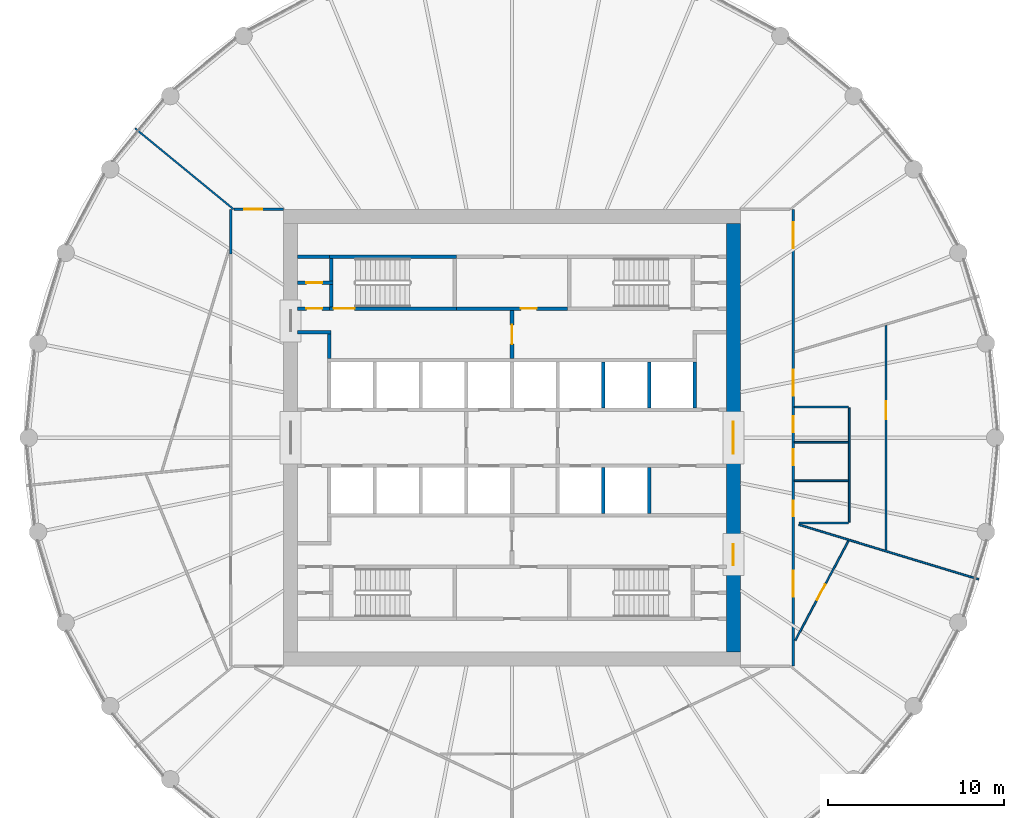
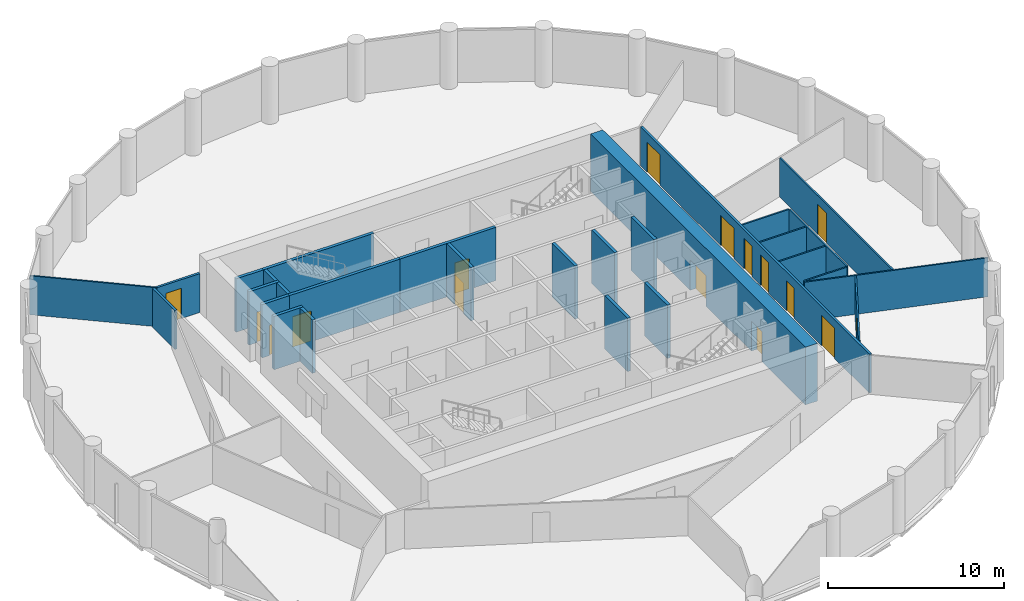
# One storey, part 6 of 8: 29 walls, 16 doors, 16 openings.
"""IFC4 building model written with IfcOpenShell, lengths in metres."""

import ifcopenshell
import ifcopenshell.guid

model = None  # the IFC model being written
_history = None  # IfcOwnerHistory: only IFC2X3 demands one
_inside = {}  # id of a spatial element -> (the spatial element, [elements in it])
_under = {}  # id of a project, library or spatial element -> (it, [spatial elements below it])
_declared = {}  # id of a project -> (the project, [libraries it declares])
_typed = {}  # id of a type object -> (the type object, [elements of that type])
_made_of = {}  # id of a material, layer set ... -> (it, [elements and type objects made of it])


def new_model(schema):
    """Start an empty IFC model of exactly this schema.

    Asked for "IFC4X3", IfcOpenShell would pick the latest addendum, in which some entities
    have other attributes; the version numbers below select the first issue.
    IFC2X3 requires an IfcOwnerHistory on every rooted entity: one is made here for all.
    """
    global model, _history
    if schema == "IFC4X3":
        model = ifcopenshell.file(schema_version=(4, 3, 0, 0))
    else:
        model = ifcopenshell.file(schema=schema)
    _inside.clear()
    _under.clear()
    _declared.clear()
    _typed.clear()
    _made_of.clear()
    _history = None
    if model.schema == "IFC2X3":
        org = make("IfcOrganization", Name="unknown")
        user = make(
            "IfcPersonAndOrganization",
            ThePerson=make("IfcPerson", FamilyName="unknown"),
            TheOrganization=org,
        )
        app = make(
            "IfcApplication",
            ApplicationDeveloper=org,
            Version="unknown",
            ApplicationFullName="unknown",
            ApplicationIdentifier="unknown",
        )
        _history = make(
            "IfcOwnerHistory",
            OwningUser=user,
            OwningApplication=app,
            ChangeAction="ADDED",
            CreationDate=0,
        )
    return model


def make(cls, **values):
    """One entity of the class cls with the attributes given. An attribute that is None is left unset."""
    return model.create_entity(
        cls, **{name: value for name, value in values.items() if value is not None}
    )


def rooted(cls, **values):
    """An entity with a GlobalId (a new one), such as an element, a storey or a relation."""
    return make(cls, GlobalId=ifcopenshell.guid.new(), OwnerHistory=_history, **values)


def si_unit(unit_type, name, prefix=None):
    """IfcSIUnit, for example si_unit("LENGTHUNIT", "METRE", prefix="MILLI")."""
    return make("IfcSIUnit", UnitType=unit_type, Prefix=prefix, Name=name)


def assignment(units):
    """IfcUnitAssignment: the units of a project."""
    return None if units is None else make("IfcUnitAssignment", Units=units)


def point(xyz):
    """IfcCartesianPoint."""
    return None if xyz is None else make("IfcCartesianPoint", Coordinates=xyz)


def direction(xyz):
    """IfcDirection."""
    return None if xyz is None else make("IfcDirection", DirectionRatios=xyz)


def frame(location, z_axis=None, x_axis=None):
    """IfcAxis2Placement3D, a coordinate frame: its origin and axes. An axis left out is left unset."""
    return make(
        "IfcAxis2Placement3D",
        Location=point(location),
        Axis=direction(z_axis),
        RefDirection=direction(x_axis),
    )


def frame_2d(location, x_axis=None):
    """IfcAxis2Placement2D, a coordinate frame in the plane: its origin and x axis."""
    return make(
        "IfcAxis2Placement2D", Location=point(location), RefDirection=direction(x_axis)
    )


def origin():
    """The frame at (0, 0, 0) with its axes left unset."""
    return frame((0.0, 0.0, 0.0))


def place(relative_to, where):
    """IfcLocalPlacement: puts the frame where relative to a parent placement (None: the world)."""
    return make(
        "IfcLocalPlacement", PlacementRelTo=relative_to, RelativePlacement=where
    )


def context(
    kind, dimensions, precision=None, world=None, true_north=None, identifier=None
):
    """IfcGeometricRepresentationContext, for example the 3D "Model" context."""
    return make(
        "IfcGeometricRepresentationContext",
        ContextIdentifier=identifier,
        ContextType=kind,
        CoordinateSpaceDimension=dimensions,
        Precision=precision,
        WorldCoordinateSystem=world,
        TrueNorth=true_north,
    )


def subcontext(parent, identifier, kind, view, scale=None):
    """IfcGeometricRepresentationSubContext, for example "Body" below "Model"."""
    return make(
        "IfcGeometricRepresentationSubContext",
        ContextIdentifier=identifier,
        ContextType=kind,
        ParentContext=parent,
        TargetScale=scale,
        TargetView=view,
    )


def project(units=None, contexts=None):
    """IfcProject with its units and contexts."""
    return rooted(
        "IfcProject",
        Name="project",
        RepresentationContexts=contexts,
        UnitsInContext=assignment(units),
    )


def spatial(cls, under=None, at=None, **own):
    """A site, building, storey or space (cls), placed at a placement, below another one or the project."""
    s = rooted(cls, ObjectPlacement=at, **own)
    if under is not None:
        _under.setdefault(under.id(), (under, []))[1].append(s)
    return s


def polyline(points):
    """IfcPolyline through the points."""
    return make("IfcPolyline", Points=[point(p) for p in points])


def profile(cls, at=None, kind="AREA", **sizes):
    """A parametric profile (cls). Its sizes go by their IFC names, for example OverallWidth=200.0."""
    return make(cls, ProfileType=kind, Position=at, **sizes)


def rectangle(**sizes):
    """IfcRectangleProfileDef."""
    return profile("IfcRectangleProfileDef", **sizes)


def outline(outer, holes=None, kind="AREA"):
    """IfcArbitraryClosedProfileDef: a profile drawn as a closed curve; with holes, ...WithVoids."""
    if holes is None:
        return make("IfcArbitraryClosedProfileDef", ProfileType=kind, OuterCurve=outer)
    return make(
        "IfcArbitraryProfileDefWithVoids",
        ProfileType=kind,
        OuterCurve=outer,
        InnerCurves=holes,
    )


def extrude(swept, where, along, depth):
    """IfcExtrudedAreaSolid: the profile swept, set in the frame where, extruded along a direction by depth."""
    return make(
        "IfcExtrudedAreaSolid",
        SweptArea=swept,
        Position=where,
        ExtrudedDirection=direction(along),
        Depth=depth,
    )


def shape(context_of_items, identifier, shape_type, items):
    """IfcShapeRepresentation: the items that make up one representation, for example the "Body"."""
    return make(
        "IfcShapeRepresentation",
        ContextOfItems=context_of_items,
        RepresentationIdentifier=identifier,
        RepresentationType=shape_type,
        Items=items,
    )


def material(Name=None, Category=None):
    """IfcMaterial."""
    return make("IfcMaterial", Name=Name, Category=Category)


def layer(
    of_material, thickness, ventilated=None, Name=None, Category=None, Priority=None
):
    """IfcMaterialLayer: one layer of a wall or slab, of a material (None: an air gap)."""
    return make(
        "IfcMaterialLayer",
        Material=of_material,
        LayerThickness=thickness,
        IsVentilated=ventilated,
        Name=Name,
        Category=Category,
        Priority=Priority,
    )


def layer_set(layers, Name=None):
    """IfcMaterialLayerSet."""
    return make("IfcMaterialLayerSet", MaterialLayers=layers, LayerSetName=Name)


def made_of(thing, what):
    """Note that an element or type object is made of a material, layer set ...; save() writes the relation."""
    if what is not None:
        _made_of.setdefault(what.id(), (what, []))[1].append(thing)
    return thing


def type_object(cls, material=None, **own):
    """A type object (cls), such as IfcWallType, which elements share."""
    return made_of(rooted(cls, **own), material)


def element(
    cls,
    number,
    at=None,
    inside=None,
    cuts=None,
    type_object=None,
    material=None,
    context=None,
    identifier="Body",
    shape_type=None,
    held_by="IfcProductDefinitionShape",
    body=None,
    shapes=None,
    **own,
):
    """One element of the class cls, such as IfcWall. Its Tag is "e" and its number.

    at: its placement. inside: the storey or other place that contains it. cuts: it is an
    opening in that element (IfcRelVoidsElement). A single representation is given by context,
    identifier, shape_type and body (its items); several are given by shapes. held_by: the class
    of the entity that holds the representations. save() writes the other relations.
    """
    e = rooted(cls, Tag="e%d" % number, ObjectPlacement=at, **own)
    if body is not None:
        shapes = [shape(context, identifier, shape_type, body)]
    if shapes is not None:
        e.Representation = make(held_by, Representations=shapes)
    if inside is not None:
        _inside.setdefault(inside.id(), (inside, []))[1].append(e)
    if cuts is not None:
        rooted(
            "IfcRelVoidsElement", RelatingBuildingElement=cuts, RelatedOpeningElement=e
        )
    if type_object is not None:
        _typed.setdefault(type_object.id(), (type_object, []))[1].append(e)
    return made_of(e, material)


def fill(opening, filler):
    """IfcRelFillsElement: the door or window that sits in an opening."""
    return rooted(
        "IfcRelFillsElement",
        RelatingOpeningElement=opening,
        RelatedBuildingElement=filler,
    )


def aggregate(whole, parts):
    """IfcRelAggregates: a whole, such as a stair, and the parts it consists of."""
    return rooted("IfcRelAggregates", RelatingObject=whole, RelatedObjects=parts)


def save(model, path):
    """Write the relations noted so far, then the file.

    IfcRelAggregates (storeys below a building ...), IfcRelContainedInSpatialStructure (elements
    in a storey), IfcRelDefinesByType, IfcRelAssociatesMaterial and IfcRelDeclares: one each for
    every whole, place, type object, material and project.
    """
    for whole, parts in _under.values():
        aggregate(whole, parts)
    for where, things in _inside.values():
        rooted(
            "IfcRelContainedInSpatialStructure",
            RelatedElements=things,
            RelatingStructure=where,
        )
    for kind, things in _typed.values():
        rooted("IfcRelDefinesByType", RelatedObjects=things, RelatingType=kind)
    for what, things in _made_of.values():
        rooted("IfcRelAssociatesMaterial", RelatedObjects=things, RelatingMaterial=what)
    for by, libraries in _declared.values():
        rooted("IfcRelDeclares", RelatingContext=by, RelatedDefinitions=libraries)
    model.write(path)


model = new_model("IFC4")

# Units and contexts
model_context = context("Model", 3, precision=1e-05, world=origin(), true_north=direction((0.0, 1.0)))
body_context = subcontext(model_context, "Body", "Model", "MODEL_VIEW")
ifc_project = project(units=[si_unit("LENGTHUNIT", "METRE"), si_unit("AREAUNIT", "SQUARE_METRE"), si_unit("VOLUMEUNIT", "CUBIC_METRE"), si_unit("PLANEANGLEUNIT", "RADIAN"), si_unit("MASSUNIT", "GRAM", prefix="KILO")], contexts=[model_context])

# Site, building, storey
site_placement = place(None, origin())
site = spatial("IfcSite", under=ifc_project, at=site_placement, CompositionType="ELEMENT")
building_placement = place(site_placement, origin())
building = spatial("IfcBuilding", under=site, at=building_placement, Name="Corvane Civic Tower", CompositionType="ELEMENT")
storey_placement = place(building_placement, frame((0.0, 0.0, 245.5)))
storey = spatial("IfcBuildingStorey", under=building, at=storey_placement, Name="L58", CompositionType="ELEMENT", Elevation=245.5)

# Wall, openings, doors
ifc_material_1 = material(Name="Concrete C50/60", Category="concrete")
ifc_layer_1 = layer(ifc_material_1, 0.800048828125)
ifc_layer_set_1 = layer_set([ifc_layer_1], Name="Concrete C50/60")
wall_type_1 = type_object("IfcWallType", Name="CORE WALL 800 C50/60", PredefinedType="SHEAR", material=ifc_layer_set_1)
wall_1_placement = place(storey_placement, frame((12.60009765625, -12.199951171875, 0.0), z_axis=(0.0, 0.0, 1.0), x_axis=(0.0, 1.0, 0.0)))
wall_1 = element("IfcWall", 1, at=wall_1_placement, inside=storey, type_object=wall_type_1, Name="W-L58-core-E", PredefinedType="SHEAR", context=body_context, shape_type="SweptSolid", body=[
    extrude(rectangle(XDim=24.39990234375, YDim=0.800048828125, at=frame_2d((12.199951171875, 0.0))), origin(), (0.0, 0.0, 1.0), 4.0),
])
opening_1_placement = place(wall_1_placement, frame((11.300048828125, 0.0, 0.0)))
opening_1 = element("IfcOpeningElement", 2, at=opening_1_placement, cuts=wall_1, Name="Opening L58.C29", PredefinedType="OPENING", context=body_context, shape_type="SweptSolid", body=[
    extrude(rectangle(XDim=1.800048828125, YDim=2.10009765625, at=frame_2d((0.89990234375, 1.050048828125))), frame((0.0, 0.409912109375, 0.0), z_axis=(0.0, -1.0, 0.0), x_axis=(1.0, 0.0, 0.0)), (0.0, 0.0, 1.0), 0.820068359375),
])
opening_2_placement = place(wall_1_placement, frame((4.949951171875, 0.0, 0.0)))
opening_2 = element("IfcOpeningElement", 3, at=opening_2_placement, cuts=wall_1, Name="Opening L58.C31", PredefinedType="OPENING", context=body_context, shape_type="SweptSolid", body=[
    extrude(rectangle(XDim=1.199951171875, YDim=2.10009765625, at=frame_2d((0.60009765625, 1.050048828125))), frame((0.0, 0.409912109375, 0.0), z_axis=(0.0, -1.0, 0.0), x_axis=(1.0, 0.0, 0.0)), (0.0, 0.0, 1.0), 0.820068359375),
])
ifc_material_2 = material(Name="Steel fire door leaf", Category="steel")
door_type_1 = type_object("IfcDoorType", Name="CR-DOOR-CORE-1800", OperationType="DOUBLE_DOOR_SINGLE_SWING", PredefinedType="DOOR", material=ifc_material_2)
door_1_placement = place(opening_1_placement, origin())
door_1 = element("IfcDoor", 4, at=door_1_placement, inside=storey, type_object=door_type_1, Name="L58 door", OperationType="DOUBLE_DOOR_SINGLE_SWING", OverallHeight=2.10009765625, OverallWidth=1.800048828125, PredefinedType="DOOR", context=body_context, shape_type="SweptSolid", body=[
    extrude(rectangle(XDim=1.800048828125, YDim=2.10009765625, at=frame_2d((0.89990234375, 1.050048828125))), frame((0.0, 0.02490234375, 0.0), z_axis=(0.0, -1.0, 0.0), x_axis=(1.0, 0.0, 0.0)), (0.0, 0.0, 1.0), 0.050048828125),
])
fill(opening_1, door_1)
door_2_placement = place(opening_2_placement, origin())
door_2 = element("IfcDoor", 5, at=door_2_placement, inside=storey, type_object=door_type_1, Name="L58 door", OperationType="DOUBLE_DOOR_SINGLE_SWING", OverallHeight=2.10009765625, OverallWidth=1.199951171875, PredefinedType="DOOR", context=body_context, shape_type="SweptSolid", body=[
    extrude(rectangle(XDim=1.199951171875, YDim=2.10009765625, at=frame_2d((0.60009765625, 1.050048828125))), frame((0.0, 0.02490234375, 0.0), z_axis=(0.0, -1.0, 0.0), x_axis=(1.0, 0.0, 0.0)), (0.0, 0.0, 1.0), 0.050048828125),
])
fill(opening_2, door_2)

# Wall, opening, door
ifc_material_3 = material(Name="Concrete C30/37", Category="concrete")
ifc_layer_2 = layer(ifc_material_3, 0.199951171875)
ifc_layer_set_2 = layer_set([ifc_layer_2], Name="Concrete C30/37")
wall_type_2 = type_object("IfcWallType", Name="CR-WALL-200", PredefinedType="PARTITIONING", material=ifc_layer_set_2)
wall_2_placement = place(storey_placement, frame((-12.199951171875, 7.35009765625, 0.0), z_axis=(0.0, 0.0, 1.0), x_axis=(1.0, 0.0, 0.0)))
wall_2 = element("IfcWall", 6, at=wall_2_placement, inside=storey, type_object=wall_type_2, Name="L58 core partition wall", PredefinedType="PARTITIONING", context=body_context, shape_type="SweptSolid", body=[
    extrude(rectangle(XDim=1.800048828125, YDim=0.199951171875, at=frame_2d((0.89990234375, 0.0))), origin(), (0.0, 0.0, 1.0), 3.699951171875),
])
opening_3_placement = place(wall_2_placement, frame((0.5, 0.0, 0.0)))
opening_3 = element("IfcOpeningElement", 7, at=opening_3_placement, cuts=wall_2, Name="Opening L58.C10", PredefinedType="OPENING", context=body_context, shape_type="SweptSolid", body=[
    extrude(rectangle(XDim=0.89990234375, YDim=2.10009765625, at=frame_2d((0.449951171875, 1.050048828125))), frame((0.0, 0.10986328125, 0.0), z_axis=(0.0, -1.0, 0.0), x_axis=(1.0, 0.0, 0.0)), (0.0, 0.0, 1.0), 0.219970703125),
])
ifc_material_4 = material(Name="Steel fire door leaf", Category="steel")
door_type_2 = type_object("IfcDoorType", Name="CR-DOOR-900", OperationType="SINGLE_SWING_LEFT", PredefinedType="DOOR", material=ifc_material_4)
door_3_placement = place(opening_3_placement, origin())
door_3 = element("IfcDoor", 8, at=door_3_placement, inside=storey, type_object=door_type_2, Name="L58 door", OperationType="SINGLE_SWING_LEFT", OverallHeight=2.10009765625, OverallWidth=0.89990234375, PredefinedType="DOOR", context=body_context, shape_type="SweptSolid", body=[
    extrude(rectangle(XDim=0.89990234375, YDim=2.10009765625, at=frame_2d((0.449951171875, 1.050048828125))), frame((0.0, 0.02490234375, 0.0), z_axis=(0.0, -1.0, 0.0), x_axis=(1.0, 0.0, 0.0)), (0.0, 0.0, 1.0), 0.050048828125),
])
fill(opening_3, door_3)

wall_3_placement = place(storey_placement, frame((-3.14990234375, 7.35009765625, 0.0), z_axis=(0.0, 0.0, 1.0), x_axis=(1.0, 0.0, 0.0)))
wall_3 = element("IfcWall", 9, at=wall_3_placement, inside=storey, type_object=wall_type_2, Name="L58 partition wall", PredefinedType="PARTITIONING", context=body_context, shape_type="SweptSolid", body=[
    extrude(rectangle(XDim=6.2998046875, YDim=0.199951171875, at=frame_2d((3.14990234375, 0.0))), origin(), (0.0, 0.0, 1.0), 3.699951171875),
])
opening_4_placement = place(wall_3_placement, frame((3.64990234375, 0.0, 0.0)))
opening_4 = element("IfcOpeningElement", 10, at=opening_4_placement, cuts=wall_3, Name="Opening L58.C06", PredefinedType="OPENING", context=body_context, shape_type="SweptSolid", body=[
    extrude(rectangle(XDim=0.89990234375, YDim=2.10009765625, at=frame_2d((0.449951171875, 1.050048828125))), frame((0.0, 0.10986328125, 0.0), z_axis=(0.0, -1.0, 0.0), x_axis=(1.0, 0.0, 0.0)), (0.0, 0.0, 1.0), 0.219970703125),
])
door_4_placement = place(opening_4_placement, origin())
door_4 = element("IfcDoor", 11, at=door_4_placement, inside=storey, type_object=door_type_2, Name="L58 door", OperationType="SINGLE_SWING_LEFT", OverallHeight=2.10009765625, OverallWidth=0.89990234375, PredefinedType="DOOR", context=body_context, shape_type="SweptSolid", body=[
    extrude(rectangle(XDim=0.89990234375, YDim=2.10009765625, at=frame_2d((0.449951171875, 1.050048828125))), frame((0.0, 0.02490234375, 0.0), z_axis=(0.0, -1.0, 0.0), x_axis=(1.0, 0.0, 0.0)), (0.0, 0.0, 1.0), 0.050048828125),
])
fill(opening_4, door_4)

wall_4_placement = place(storey_placement, frame((-12.199951171875, 8.824951171875, 0.0), z_axis=(0.0, 0.0, 1.0), x_axis=(1.0, 0.0, 0.0)))
wall_4 = element("IfcWall", 12, at=wall_4_placement, inside=storey, type_object=wall_type_2, Name="L58 partition wall", PredefinedType="PARTITIONING", context=body_context, shape_type="SweptSolid", body=[
    extrude(rectangle(XDim=2.0, YDim=0.199951171875, at=frame_2d((1.0, 0.0))), origin(), (0.0, 0.0, 1.0), 3.699951171875),
])
opening_5_placement = place(wall_4_placement, frame((0.5, 0.0, 0.0)))
opening_5 = element("IfcOpeningElement", 13, at=opening_5_placement, cuts=wall_4, Name="Opening L58.C11", PredefinedType="OPENING", context=body_context, shape_type="SweptSolid", body=[
    extrude(rectangle(XDim=0.89990234375, YDim=2.10009765625, at=frame_2d((0.449951171875, 1.050048828125))), frame((0.0, 0.10986328125, 0.0), z_axis=(0.0, -1.0, 0.0), x_axis=(1.0, 0.0, 0.0)), (0.0, 0.0, 1.0), 0.219970703125),
])
door_5_placement = place(opening_5_placement, origin())
door_5 = element("IfcDoor", 14, at=door_5_placement, inside=storey, type_object=door_type_2, Name="L58 door", OperationType="SINGLE_SWING_LEFT", OverallHeight=2.10009765625, OverallWidth=0.89990234375, PredefinedType="DOOR", context=body_context, shape_type="SweptSolid", body=[
    extrude(rectangle(XDim=0.89990234375, YDim=2.10009765625, at=frame_2d((0.449951171875, 1.050048828125))), frame((0.0, 0.02490234375, 0.0), z_axis=(0.0, -1.0, 0.0), x_axis=(1.0, 0.0, 0.0)), (0.0, 0.0, 1.0), 0.050048828125),
])
fill(opening_5, door_5)

wall_5_placement = place(storey_placement, frame((0.0, 4.5, 0.0), z_axis=(0.0, 0.0, 1.0), x_axis=(0.0, 1.0, 0.0)))
wall_5 = element("IfcWall", 15, at=wall_5_placement, inside=storey, type_object=wall_type_2, Name="L58 core partition wall", PredefinedType="PARTITIONING", context=body_context, shape_type="SweptSolid", body=[
    extrude(rectangle(XDim=2.75, YDim=0.199951171875, at=frame_2d((1.375, 0.0))), origin(), (0.0, 0.0, 1.0), 3.699951171875),
])
opening_6_placement = place(wall_5_placement, frame((0.824951171875, 0.0, 0.0)))
opening_6 = element("IfcOpeningElement", 16, at=opening_6_placement, cuts=wall_5, Name="Opening L58.C26", PredefinedType="OPENING", context=body_context, shape_type="SweptSolid", body=[
    extrude(rectangle(XDim=1.10009765625, YDim=2.10009765625, at=frame_2d((0.550048828125, 1.050048828125))), frame((0.0, 0.10986328125, 0.0), z_axis=(0.0, -1.0, 0.0), x_axis=(1.0, 0.0, 0.0)), (0.0, 0.0, 1.0), 0.219970703125),
])
ifc_material_5 = material(Name="Steel fire door leaf", Category="steel")
door_type_3 = type_object("IfcDoorType", Name="CR-DOOR-FFL-1100", OperationType="SINGLE_SWING_LEFT", PredefinedType="DOOR", material=ifc_material_5)
door_6_placement = place(opening_6_placement, origin())
door_6 = element("IfcDoor", 17, at=door_6_placement, inside=storey, type_object=door_type_3, Name="L58 lobby door", OperationType="SINGLE_SWING_LEFT", OverallHeight=2.10009765625, OverallWidth=1.10009765625, PredefinedType="DOOR", context=body_context, shape_type="SweptSolid", body=[
    extrude(rectangle(XDim=1.10009765625, YDim=2.10009765625, at=frame_2d((0.550048828125, 1.050048828125))), frame((0.0, 0.02490234375, 0.0), z_axis=(0.0, -1.0, 0.0), x_axis=(1.0, 0.0, 0.0)), (0.0, 0.0, 1.0), 0.050048828125),
])
fill(opening_6, door_6)

# Walls
wall_6_placement = place(storey_placement, origin())
element("IfcWall", 18, at=wall_6_placement, inside=storey, type_object=wall_type_2, Name="L58 core partition wall", PredefinedType="PARTITIONING", context=body_context, shape_type="SweptSolid", body=[
    extrude(outline(polyline([(5.300048828125, -1.699951171875), (5.300048828125, -4.2998046875), (5.10009765625, -4.2998046875), (5.10009765625, -1.699951171875), (5.300048828125, -1.699951171875)])), origin(), (0.0, 0.0, 1.0), 3.699951171875),
])
wall_7_placement = place(storey_placement, origin())
element("IfcWall", 19, at=wall_7_placement, inside=storey, type_object=wall_type_2, Name="L58 core partition wall", PredefinedType="PARTITIONING", context=body_context, shape_type="SweptSolid", body=[
    extrude(outline(polyline([(7.89990234375, -1.699951171875), (7.89990234375, -4.2998046875), (7.699951171875, -4.2998046875), (7.699951171875, -1.699951171875), (7.89990234375, -1.699951171875)])), origin(), (0.0, 0.0, 1.0), 3.699951171875),
])
wall_8_placement = place(storey_placement, origin())
element("IfcWall", 20, at=wall_8_placement, inside=storey, type_object=wall_type_2, Name="L58 core partition wall", PredefinedType="PARTITIONING", context=body_context, shape_type="SweptSolid", body=[
    extrude(outline(polyline([(5.300048828125, 1.699951171875), (5.10009765625, 1.699951171875), (5.10009765625, 4.2998046875), (5.300048828125, 4.2998046875), (5.300048828125, 1.699951171875)])), origin(), (0.0, 0.0, 1.0), 3.699951171875),
])
wall_9_placement = place(storey_placement, origin())
element("IfcWall", 21, at=wall_9_placement, inside=storey, type_object=wall_type_2, Name="L58 core partition wall", PredefinedType="PARTITIONING", context=body_context, shape_type="SweptSolid", body=[
    extrude(outline(polyline([(7.89990234375, 1.699951171875), (7.699951171875, 1.699951171875), (7.699951171875, 4.2998046875), (7.89990234375, 4.2998046875), (7.89990234375, 1.699951171875)])), origin(), (0.0, 0.0, 1.0), 3.699951171875),
])
wall_10_placement = place(storey_placement, origin())
element("IfcWall", 22, at=wall_10_placement, inside=storey, type_object=wall_type_2, Name="L58 core partition wall", PredefinedType="PARTITIONING", context=body_context, shape_type="SweptSolid", body=[
    extrude(outline(polyline([(10.5, 1.699951171875), (10.300048828125, 1.699951171875), (10.300048828125, 4.2998046875), (10.5, 4.2998046875), (10.5, 1.699951171875)])), origin(), (0.0, 0.0, 1.0), 3.699951171875),
])
wall_11_placement = place(storey_placement, origin())
element("IfcWall", 23, at=wall_11_placement, inside=storey, type_object=wall_type_2, Name="L58 core partition wall", PredefinedType="PARTITIONING", context=body_context, shape_type="SweptSolid", body=[
    extrude(outline(polyline([(-10.300048828125, 5.89990234375), (-12.199951171875, 5.89990234375), (-12.199951171875, 6.10009765625), (-10.300048828125, 6.10009765625), (-10.300048828125, 5.89990234375)])), origin(), (0.0, 0.0, 1.0), 3.699951171875),
])
wall_12_placement = place(storey_placement, origin())
element("IfcWall", 24, at=wall_12_placement, inside=storey, type_object=wall_type_2, Name="L58 core partition wall", PredefinedType="PARTITIONING", context=body_context, shape_type="SweptSolid", body=[
    extrude(outline(polyline([(-10.300048828125, 4.5), (-10.5, 4.5), (-10.5, 5.89990234375), (-10.300048828125, 5.89990234375), (-10.300048828125, 4.5)])), origin(), (0.0, 0.0, 1.0), 3.699951171875),
])
wall_13_placement = place(storey_placement, origin())
element("IfcWall", 25, at=wall_13_placement, inside=storey, type_object=wall_type_2, Name="L58 core partition wall", PredefinedType="PARTITIONING", context=body_context, shape_type="SweptSolid", body=[
    extrude(outline(polyline([(-12.199951171875, 10.199951171875), (-12.199951171875, 10.39990234375), (-10.39990234375, 10.39990234375), (-10.39990234375, 10.199951171875), (-12.199951171875, 10.199951171875)])), origin(), (0.0, 0.0, 1.0), 3.699951171875),
])

# Wall, opening, door
ifc_material_6 = material(Name="Plasterboard")
ifc_layer_3 = layer(ifc_material_6, 0.10009765625)
ifc_layer_set_3 = layer_set([ifc_layer_3], Name="Plasterboard")
wall_type_3 = type_object("IfcWallType", Name="Partition 100 plasterboard on studs", PredefinedType="PARTITIONING", material=ifc_layer_set_3)
wall_14_placement = place(storey_placement, frame((16.119140625, -11.540283203125, 0.0), z_axis=(0.0, 0.0, 1.0), x_axis=(0.471415980273, 0.881910978242, 0.0)))
wall_14 = element("IfcWall", 26, at=wall_14_placement, inside=storey, type_object=wall_type_3, Name="Partition L58.012", PredefinedType="PARTITIONING", context=body_context, shape_type="SweptSolid", body=[
    extrude(rectangle(XDim=6.427978515625, YDim=0.10009765625, at=frame_2d((3.2138671875, 0.0))), origin(), (0.0, 0.0, 1.0), 2.699951171875),
])
opening_7_placement = place(wall_14_placement, frame((2.6181640625, 0.0, 0.0)))
opening_7 = element("IfcOpeningElement", 27, at=opening_7_placement, cuts=wall_14, Name="Opening L58.012", PredefinedType="OPENING", context=body_context, shape_type="SweptSolid", body=[
    extrude(rectangle(XDim=1.0, YDim=2.10009765625, at=frame_2d((0.5, 1.050048828125))), frame((0.0, 0.06005859375, 0.0), z_axis=(0.0, -1.0, 0.0), x_axis=(1.0, 0.0, 0.0)), (0.0, 0.0, 1.0), 0.1201171875),
])
ifc_material_7 = material(Name="Timber", Category="wood")
door_type_4 = type_object("IfcDoorType", Name="Single door 1000", OperationType="NOTDEFINED", PredefinedType="DOOR", material=ifc_material_7)
door_7_placement = place(opening_7_placement, frame((1.0, 0.0, 0.0), z_axis=(0.0, 0.0, 1.0), x_axis=(-1.0, 0.0, 0.0)))
door_7 = element("IfcDoor", 28, at=door_7_placement, inside=storey, type_object=door_type_4, Name="Door L58.012", OperationType="SINGLE_SWING_RIGHT", OverallHeight=2.10009765625, OverallWidth=1.0, PredefinedType="DOOR", context=body_context, shape_type="SweptSolid", body=[
    extrude(rectangle(XDim=1.0, YDim=2.10009765625, at=frame_2d((0.5, 1.050048828125))), frame((0.0, 0.02490234375, 0.0), z_axis=(0.0, -1.0, 0.0), x_axis=(1.0, 0.0, 0.0)), (0.0, 0.0, 1.0), 0.050048828125),
])
fill(opening_7, door_7)

# Wall
wall_15_placement = place(storey_placement, frame((16.322509765625, -4.951416015625, 0.0), z_axis=(0.0, 0.0, 1.0), x_axis=(0.95694333486, -0.290274790271, 0.0)))
element("IfcWall", 29, at=wall_15_placement, inside=storey, type_object=wall_type_3, Name="Partition L58.013", PredefinedType="PARTITIONING", context=body_context, shape_type="SweptSolid", body=[
    extrude(rectangle(XDim=10.693359375, YDim=0.10009765625, at=frame_2d((5.3466796875, 0.0))), origin(), (0.0, 0.0, 1.0), 2.699951171875),
])

# Wall, opening, door
wall_16_placement = place(storey_placement, frame((21.285888671875, -6.3896484375, 0.0), z_axis=(0.0, 0.0, 1.0), x_axis=(0.0, 1.0, 0.0)))
wall_16 = element("IfcWall", 30, at=wall_16_placement, inside=storey, type_object=wall_type_3, Name="Partition L58.014", PredefinedType="PARTITIONING", context=body_context, shape_type="SweptSolid", body=[
    extrude(rectangle(XDim=12.779296875, YDim=0.10009765625, at=frame_2d((6.3896484375, 0.0))), origin(), (0.0, 0.0, 1.0), 2.699951171875),
])
opening_8_placement = place(wall_16_placement, frame((7.450927734375, 0.0, 0.0)))
opening_8 = element("IfcOpeningElement", 31, at=opening_8_placement, cuts=wall_16, Name="Opening L58.007", PredefinedType="OPENING", context=body_context, shape_type="SweptSolid", body=[
    extrude(rectangle(XDim=1.0, YDim=2.10009765625, at=frame_2d((0.5, 1.050048828125))), frame((0.0, 0.06005859375, 0.0), z_axis=(0.0, -1.0, 0.0), x_axis=(1.0, 0.0, 0.0)), (0.0, 0.0, 1.0), 0.1201171875),
])
door_8_placement = place(opening_8_placement, frame((1.0, 0.0, 0.0), z_axis=(0.0, 0.0, 1.0), x_axis=(-1.0, 0.0, 0.0)))
door_8 = element("IfcDoor", 32, at=door_8_placement, inside=storey, type_object=door_type_4, Name="Door L58.007", OperationType="SINGLE_SWING_LEFT", OverallHeight=2.10009765625, OverallWidth=1.0, PredefinedType="DOOR", context=body_context, shape_type="SweptSolid", body=[
    extrude(rectangle(XDim=1.0, YDim=2.10009765625, at=frame_2d((0.5, 1.050048828125))), frame((0.0, 0.02490234375, 0.0), z_axis=(0.0, -1.0, 0.0), x_axis=(1.0, 0.0, 0.0)), (0.0, 0.0, 1.0), 0.050048828125),
])
fill(opening_8, door_8)

# Walls
wall_17_placement = place(storey_placement, frame((16.337158203125, -4.853515625, 0.0), z_axis=(0.0, 0.0, 1.0), x_axis=(1.0, 0.0, 0.0)))
element("IfcWall", 33, at=wall_17_placement, inside=storey, type_object=wall_type_3, Name="Partition L58.015", PredefinedType="PARTITIONING", context=body_context, shape_type="SweptSolid", body=[
    extrude(rectangle(XDim=2.812744140625, YDim=0.10009765625, at=frame_2d((1.40625, 0.0))), origin(), (0.0, 0.0, 1.0), 2.699951171875),
])
wall_18_placement = place(storey_placement, frame((19.199951171875, -4.803466796875, 0.0), z_axis=(0.0, 0.0, 1.0), x_axis=(0.0, 1.0, 0.0)))
element("IfcWall", 34, at=wall_18_placement, inside=storey, type_object=wall_type_3, Name="Partition L58.016", PredefinedType="PARTITIONING", context=body_context, shape_type="SweptSolid", body=[
    extrude(rectangle(XDim=6.5, YDim=0.10009765625, at=frame_2d((3.25, 0.0))), origin(), (0.0, 0.0, 1.0), 2.699951171875),
])
for number, where, z_axis, x_axis, name in (
    (35, (16.074951171875, -2.45361328125, 0.0), (0.0, 0.0, 1.0), (1.0, 0.0, 0.0), "Partition L58.018"),
    (36, (16.074951171875, -0.25341796875, 0.0), (0.0, 0.0, 1.0), (1.0, 0.0, 0.0), "Partition L58.020"),
    (37, (16.074951171875, 1.74658203125, 0.0), (0.0, 0.0, 1.0), (1.0, 0.0, 0.0), "Partition L58.021"),
):
    element("IfcWall", number, at=place(storey_placement, frame(where, z_axis=z_axis, x_axis=x_axis)), inside=storey, type_object=wall_type_3, Name=name, PredefinedType="PARTITIONING", context=body_context, shape_type="SweptSolid", body=[
        extrude(rectangle(XDim=3.074951171875, YDim=0.10009765625, at=frame_2d((1.53759765625, 0.0))), origin(), (0.0, 0.0, 1.0), 2.699951171875),
    ])
wall_19_placement = place(storey_placement, frame((-21.451171875, 17.6044921875, 0.0), z_axis=(0.0, 0.0, 1.0), x_axis=(0.772997895748, -0.634408585352, 0.0)))
element("IfcWall", 38, at=wall_19_placement, inside=storey, type_object=wall_type_3, Name="Partition L58.026", PredefinedType="PARTITIONING", context=body_context, shape_type="SweptSolid", body=[
    extrude(rectangle(XDim=7.240234375, YDim=0.10009765625, at=frame_2d((3.6201171875, 0.0))), origin(), (0.0, 0.0, 1.0), 2.699951171875),
])

# Wall, opening, door
ifc_material_8 = material(Name="Concrete C50/60", Category="concrete")
ifc_layer_4 = layer(ifc_material_8, 0.199951171875)
ifc_layer_set_4 = layer_set([ifc_layer_4], Name="Concrete C50/60")
wall_type_4 = type_object("IfcWallType", Name="ST-WALL-200", PredefinedType="SHEAR", material=ifc_layer_set_4)
wall_20_placement = place(storey_placement, frame((-10.39990234375, 7.35009765625, 0.0), z_axis=(0.0, 0.0, 1.0), x_axis=(1.0, 0.0, 0.0)))
wall_20 = element("IfcWall", 39, at=wall_20_placement, inside=storey, type_object=wall_type_4, Name="L58 stair enclosure wall", PredefinedType="SHEAR", context=body_context, shape_type="SweptSolid", body=[
    extrude(rectangle(XDim=7.25, YDim=0.199951171875, at=frame_2d((3.625, 0.0))), origin(), (0.0, 0.0, 1.0), 3.699951171875),
])
opening_9_placement = place(wall_20_placement, frame((0.25, 0.0, 0.0)))
opening_9 = element("IfcOpeningElement", 40, at=opening_9_placement, cuts=wall_20, Name="Opening L58.C21", PredefinedType="OPENING", context=body_context, shape_type="SweptSolid", body=[
    extrude(rectangle(XDim=1.199951171875, YDim=2.10009765625, at=frame_2d((0.60009765625, 1.050048828125))), frame((0.0, 0.10986328125, 0.0), z_axis=(0.0, -1.0, 0.0), x_axis=(1.0, 0.0, 0.0)), (0.0, 0.0, 1.0), 0.219970703125),
])
ifc_material_9 = material(Name="Steel fire door leaf", Category="steel")
door_type_5 = type_object("IfcDoorType", Name="ST-DOOR-1200", OperationType="SINGLE_SWING_RIGHT", PredefinedType="DOOR", material=ifc_material_9)
door_9_placement = place(opening_9_placement, origin())
door_9 = element("IfcDoor", 41, at=door_9_placement, inside=storey, type_object=door_type_5, Name="L58 stair door", OperationType="SINGLE_SWING_RIGHT", OverallHeight=2.10009765625, OverallWidth=1.199951171875, PredefinedType="DOOR", context=body_context, shape_type="SweptSolid", body=[
    extrude(rectangle(XDim=1.199951171875, YDim=2.10009765625, at=frame_2d((0.60009765625, 1.050048828125))), frame((0.0, 0.02490234375, 0.0), z_axis=(0.0, -1.0, 0.0), x_axis=(1.0, 0.0, 0.0)), (0.0, 0.0, 1.0), 0.050048828125),
])
fill(opening_9, door_9)

# Walls
wall_21_placement = place(storey_placement, origin())
element("IfcWall", 42, at=wall_21_placement, inside=storey, type_object=wall_type_4, Name="L58 stair enclosure wall", PredefinedType="SHEAR", context=body_context, shape_type="SweptSolid", body=[
    extrude(outline(polyline([(-3.14990234375, 10.199951171875), (-10.39990234375, 10.199951171875), (-10.39990234375, 10.39990234375), (-3.14990234375, 10.39990234375), (-3.14990234375, 10.199951171875)])), origin(), (0.0, 0.0, 1.0), 3.699951171875),
])
wall_22_placement = place(storey_placement, origin())
element("IfcWall", 43, at=wall_22_placement, inside=storey, type_object=wall_type_4, Name="L58 stair enclosure wall", PredefinedType="SHEAR", context=body_context, shape_type="SweptSolid", body=[
    extrude(outline(polyline([(-10.199951171875, 8.72509765625), (-10.199951171875, 7.449951171875), (-10.39990234375, 7.449951171875), (-10.39990234375, 8.72509765625), (-10.199951171875, 8.72509765625)])), origin(), (0.0, 0.0, 1.0), 3.699951171875),
])
wall_23_placement = place(storey_placement, origin())
element("IfcWall", 44, at=wall_23_placement, inside=storey, type_object=wall_type_4, Name="L58 stair enclosure wall", PredefinedType="SHEAR", context=body_context, shape_type="SweptSolid", body=[
    extrude(outline(polyline([(-10.199951171875, 8.925048828125), (-10.39990234375, 8.925048828125), (-10.39990234375, 10.199951171875), (-10.199951171875, 10.199951171875), (-10.199951171875, 8.925048828125)])), origin(), (0.0, 0.0, 1.0), 3.699951171875),
])

# Wall, openings, doors
ifc_material_10 = material(Name="Plasterboard")
ifc_layer_5 = layer(ifc_material_10, 0.14990234375)
ifc_layer_set_5 = layer_set([ifc_layer_5], Name="Plasterboard")
wall_type_5 = type_object("IfcWallType", Name="Tenancy wall 150 EI 60", PredefinedType="PARTITIONING", material=ifc_layer_set_5)
wall_24_placement = place(storey_placement, frame((16.0, -13.0, 0.0), z_axis=(0.0, 0.0, 1.0), x_axis=(0.0, 1.0, 0.0)))
wall_24 = element("IfcWall", 45, at=wall_24_placement, inside=storey, type_object=wall_type_5, Name="Partition L58.011", PredefinedType="PARTITIONING", context=body_context, shape_type="SweptSolid", body=[
    extrude(rectangle(XDim=26.0, YDim=0.14990234375, at=frame_2d((13.0, 0.0))), origin(), (0.0, 0.0, 1.0), 2.699951171875),
])
opening_10_placement = place(wall_24_placement, frame((23.771484375, 0.0, 0.0)))
opening_10 = element("IfcOpeningElement", 46, at=opening_10_placement, cuts=wall_24, Name="Opening L58.006", PredefinedType="OPENING", context=body_context, shape_type="SweptSolid", body=[
    extrude(rectangle(XDim=1.5, YDim=2.10009765625, at=frame_2d((0.75, 1.050048828125))), frame((0.0, 0.0849609375, 0.0), z_axis=(0.0, -1.0, 0.0), x_axis=(1.0, 0.0, 0.0)), (0.0, 0.0, 1.0), 0.169921875),
])
opening_11_placement = place(wall_24_placement, frame((15.374267578125, 0.0, 0.0)))
opening_11 = element("IfcOpeningElement", 47, at=opening_11_placement, cuts=wall_24, Name="Opening L58.008", PredefinedType="OPENING", context=body_context, shape_type="SweptSolid", body=[
    extrude(rectangle(XDim=1.5, YDim=2.10009765625, at=frame_2d((0.75, 1.050048828125))), frame((0.0, 0.0849609375, 0.0), z_axis=(0.0, -1.0, 0.0), x_axis=(1.0, 0.0, 0.0)), (0.0, 0.0, 1.0), 0.169921875),
])
opening_12_placement = place(wall_24_placement, frame((8.52490234375, 0.0, 0.0)))
opening_12 = element("IfcOpeningElement", 48, at=opening_12_placement, cuts=wall_24, Name="Opening L58.009", PredefinedType="OPENING", context=body_context, shape_type="SweptSolid", body=[
    extrude(rectangle(XDim=0.89990234375, YDim=2.10009765625, at=frame_2d((0.449951171875, 1.050048828125))), frame((0.0, 0.0849609375, 0.0), z_axis=(0.0, -1.0, 0.0), x_axis=(1.0, 0.0, 0.0)), (0.0, 0.0, 1.0), 0.169921875),
])
opening_13_placement = place(wall_24_placement, frame((11.430419921875, 0.0, 0.0)))
opening_13 = element("IfcOpeningElement", 49, at=opening_13_placement, cuts=wall_24, Name="Opening L58.010", PredefinedType="OPENING", context=body_context, shape_type="SweptSolid", body=[
    extrude(rectangle(XDim=0.89990234375, YDim=2.10009765625, at=frame_2d((0.449951171875, 1.050048828125))), frame((0.0, 0.0849609375, 0.0), z_axis=(0.0, -1.0, 0.0), x_axis=(1.0, 0.0, 0.0)), (0.0, 0.0, 1.0), 0.169921875),
])
opening_14_placement = place(wall_24_placement, frame((13.324462890625, 0.0, 0.0)))
opening_14 = element("IfcOpeningElement", 50, at=opening_14_placement, cuts=wall_24, Name="Opening L58.011", PredefinedType="OPENING", context=body_context, shape_type="SweptSolid", body=[
    extrude(rectangle(XDim=0.89990234375, YDim=2.10009765625, at=frame_2d((0.449951171875, 1.050048828125))), frame((0.0, 0.0849609375, 0.0), z_axis=(0.0, -1.0, 0.0), x_axis=(1.0, 0.0, 0.0)), (0.0, 0.0, 1.0), 0.169921875),
])
opening_15_placement = place(wall_24_placement, frame((3.941650390625, 0.0, 0.0)))
opening_15 = element("IfcOpeningElement", 51, at=opening_15_placement, cuts=wall_24, Name="Opening L58.013", PredefinedType="OPENING", context=body_context, shape_type="SweptSolid", body=[
    extrude(rectangle(XDim=1.5, YDim=2.10009765625, at=frame_2d((0.75, 1.050048828125))), frame((0.0, 0.0849609375, 0.0), z_axis=(0.0, -1.0, 0.0), x_axis=(1.0, 0.0, 0.0)), (0.0, 0.0, 1.0), 0.169921875),
])
ifc_material_11 = material(Name="Steel and timber", Category="steel")
door_type_6 = type_object("IfcDoorType", Name="Fire door FD30S 900", OperationType="NOTDEFINED", PredefinedType="DOOR", material=ifc_material_11)
door_10_placement = place(opening_12_placement, frame((0.89990234375, 0.0, 0.0), z_axis=(0.0, 0.0, 1.0), x_axis=(-1.0, 0.0, 0.0)))
door_10 = element("IfcDoor", 52, at=door_10_placement, inside=storey, type_object=door_type_6, Name="Door L58.009", OperationType="SINGLE_SWING_RIGHT", OverallHeight=2.10009765625, OverallWidth=0.89990234375, PredefinedType="DOOR", context=body_context, shape_type="SweptSolid", body=[
    extrude(rectangle(XDim=0.89990234375, YDim=2.10009765625, at=frame_2d((0.449951171875, 1.050048828125))), frame((0.0, 0.02490234375, 0.0), z_axis=(0.0, -1.0, 0.0), x_axis=(1.0, 0.0, 0.0)), (0.0, 0.0, 1.0), 0.050048828125),
])
fill(opening_12, door_10)
door_11_placement = place(opening_13_placement, frame((0.89990234375, 0.0, 0.0), z_axis=(0.0, 0.0, 1.0), x_axis=(-1.0, 0.0, 0.0)))
door_11 = element("IfcDoor", 53, at=door_11_placement, inside=storey, type_object=door_type_6, Name="Door L58.010", OperationType="SINGLE_SWING_LEFT", OverallHeight=2.10009765625, OverallWidth=0.89990234375, PredefinedType="DOOR", context=body_context, shape_type="SweptSolid", body=[
    extrude(rectangle(XDim=0.89990234375, YDim=2.10009765625, at=frame_2d((0.449951171875, 1.050048828125))), frame((0.0, 0.02490234375, 0.0), z_axis=(0.0, -1.0, 0.0), x_axis=(1.0, 0.0, 0.0)), (0.0, 0.0, 1.0), 0.050048828125),
])
fill(opening_13, door_11)
door_12_placement = place(opening_14_placement, frame((0.89990234375, 0.0, 0.0), z_axis=(0.0, 0.0, 1.0), x_axis=(-1.0, 0.0, 0.0)))
door_12 = element("IfcDoor", 54, at=door_12_placement, inside=storey, type_object=door_type_6, Name="Door L58.011", OperationType="SINGLE_SWING_LEFT", OverallHeight=2.10009765625, OverallWidth=0.89990234375, PredefinedType="DOOR", context=body_context, shape_type="SweptSolid", body=[
    extrude(rectangle(XDim=0.89990234375, YDim=2.10009765625, at=frame_2d((0.449951171875, 1.050048828125))), frame((0.0, 0.02490234375, 0.0), z_axis=(0.0, -1.0, 0.0), x_axis=(1.0, 0.0, 0.0)), (0.0, 0.0, 1.0), 0.050048828125),
])
fill(opening_14, door_12)
ifc_material_12 = material(Name="Steel and timber", Category="steel")
door_type_7 = type_object("IfcDoorType", Name="Fire door FD60 double 1500", OperationType="NOTDEFINED", PredefinedType="DOOR", material=ifc_material_12)
door_13_placement = place(opening_10_placement, frame((1.5, 0.0, 0.0), z_axis=(0.0, 0.0, 1.0), x_axis=(-1.0, 0.0, 0.0)))
door_13 = element("IfcDoor", 55, at=door_13_placement, inside=storey, type_object=door_type_7, Name="Door L58.006", OperationType="DOUBLE_DOOR_SINGLE_SWING", OverallHeight=2.10009765625, OverallWidth=1.5, PredefinedType="DOOR", context=body_context, shape_type="SweptSolid", body=[
    extrude(rectangle(XDim=1.5, YDim=2.10009765625, at=frame_2d((0.75, 1.050048828125))), frame((0.0, 0.02490234375, 0.0), z_axis=(0.0, -1.0, 0.0), x_axis=(1.0, 0.0, 0.0)), (0.0, 0.0, 1.0), 0.050048828125),
])
fill(opening_10, door_13)
door_14_placement = place(opening_11_placement, frame((1.5, 0.0, 0.0), z_axis=(0.0, 0.0, 1.0), x_axis=(-1.0, 0.0, 0.0)))
door_14 = element("IfcDoor", 56, at=door_14_placement, inside=storey, type_object=door_type_7, Name="Door L58.008", OperationType="DOUBLE_DOOR_SINGLE_SWING", OverallHeight=2.10009765625, OverallWidth=1.5, PredefinedType="DOOR", context=body_context, shape_type="SweptSolid", body=[
    extrude(rectangle(XDim=1.5, YDim=2.10009765625, at=frame_2d((0.75, 1.050048828125))), frame((0.0, 0.02490234375, 0.0), z_axis=(0.0, -1.0, 0.0), x_axis=(1.0, 0.0, 0.0)), (0.0, 0.0, 1.0), 0.050048828125),
])
fill(opening_11, door_14)
door_15_placement = place(opening_15_placement, frame((1.5, 0.0, 0.0), z_axis=(0.0, 0.0, 1.0), x_axis=(-1.0, 0.0, 0.0)))
door_15 = element("IfcDoor", 57, at=door_15_placement, inside=storey, type_object=door_type_7, Name="Door L58.013", OperationType="DOUBLE_DOOR_SINGLE_SWING", OverallHeight=2.10009765625, OverallWidth=1.5, PredefinedType="DOOR", context=body_context, shape_type="SweptSolid", body=[
    extrude(rectangle(XDim=1.5, YDim=2.10009765625, at=frame_2d((0.75, 1.050048828125))), frame((0.0, 0.02490234375, 0.0), z_axis=(0.0, -1.0, 0.0), x_axis=(1.0, 0.0, 0.0)), (0.0, 0.0, 1.0), 0.050048828125),
])
fill(opening_15, door_15)

# Wall
wall_25_placement = place(storey_placement, frame((-16.0, 10.459716796875, 0.0), z_axis=(0.0, 0.0, 1.0), x_axis=(0.0, 1.0, 0.0)))
element("IfcWall", 58, at=wall_25_placement, inside=storey, type_object=wall_type_5, Name="Partition L58.023", PredefinedType="PARTITIONING", context=body_context, shape_type="SweptSolid", body=[
    extrude(rectangle(XDim=2.540283203125, YDim=0.14990234375, at=frame_2d((1.27001953125, 0.0))), origin(), (0.0, 0.0, 1.0), 2.699951171875),
])

# Wall, opening, door
wall_26_placement = place(storey_placement, frame((-15.813720703125, 13.0, 0.0), z_axis=(0.0, 0.0, 1.0), x_axis=(1.0, 0.0, 0.0)))
wall_26 = element("IfcWall", 59, at=wall_26_placement, inside=storey, type_object=wall_type_5, Name="Partition L58.024", PredefinedType="PARTITIONING", context=body_context, shape_type="SweptSolid", body=[
    extrude(rectangle(XDim=2.82373046875, YDim=0.14990234375, at=frame_2d((1.411865234375, 0.0))), origin(), (0.0, 0.0, 1.0), 2.699951171875),
])
opening_16_placement = place(wall_26_placement, frame((0.589111328125, 0.0, 0.0)))
opening_16 = element("IfcOpeningElement", 60, at=opening_16_placement, cuts=wall_26, Name="Opening L58.001", PredefinedType="OPENING", context=body_context, shape_type="SweptSolid", body=[
    extrude(rectangle(XDim=1.0, YDim=2.10009765625, at=frame_2d((0.5, 1.050048828125))), frame((0.0, 0.0849609375, 0.0), z_axis=(0.0, -1.0, 0.0), x_axis=(1.0, 0.0, 0.0)), (0.0, 0.0, 1.0), 0.169921875),
])
ifc_material_13 = material(Name="Steel and timber", Category="steel")
door_type_8 = type_object("IfcDoorType", Name="Fire door FD30S 1000", OperationType="NOTDEFINED", PredefinedType="DOOR", material=ifc_material_13)
door_16_placement = place(opening_16_placement, origin())
door_16 = element("IfcDoor", 61, at=door_16_placement, inside=storey, type_object=door_type_8, Name="Door L58.001", OperationType="SINGLE_SWING_LEFT", OverallHeight=2.10009765625, OverallWidth=1.0, PredefinedType="DOOR", context=body_context, shape_type="SweptSolid", body=[
    extrude(rectangle(XDim=1.0, YDim=2.10009765625, at=frame_2d((0.5, 1.050048828125))), frame((0.0, 0.02490234375, 0.0), z_axis=(0.0, -1.0, 0.0), x_axis=(1.0, 0.0, 0.0)), (0.0, 0.0, 1.0), 0.050048828125),
])
fill(opening_16, door_16)

save(model, "model.ifc")
